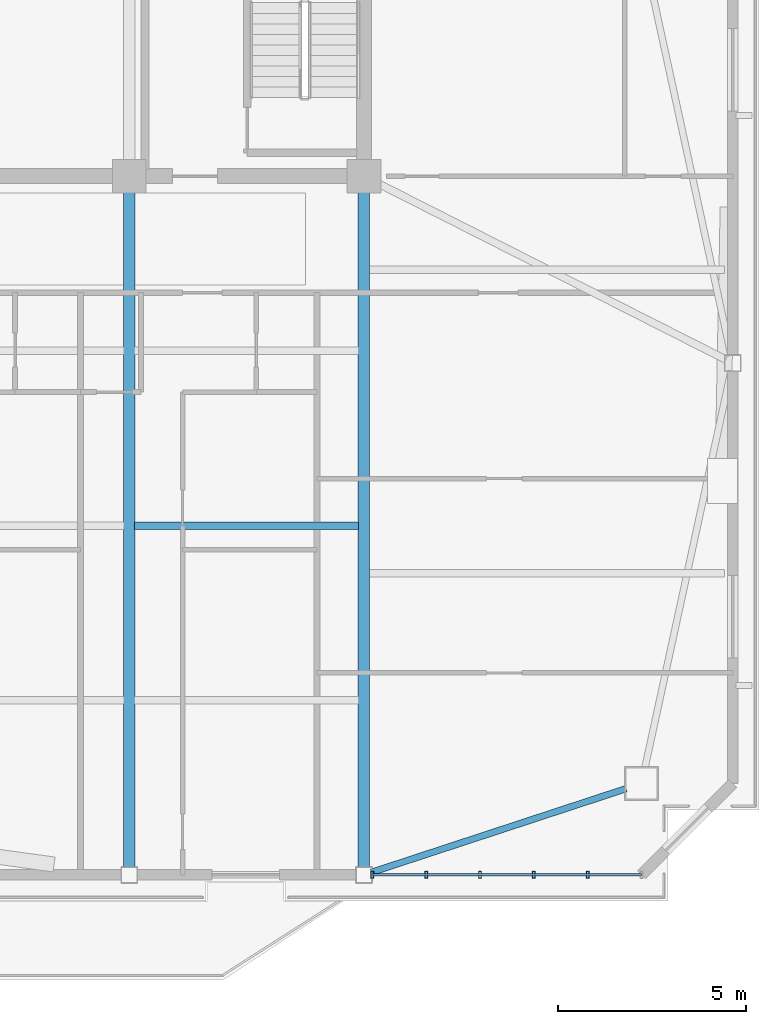
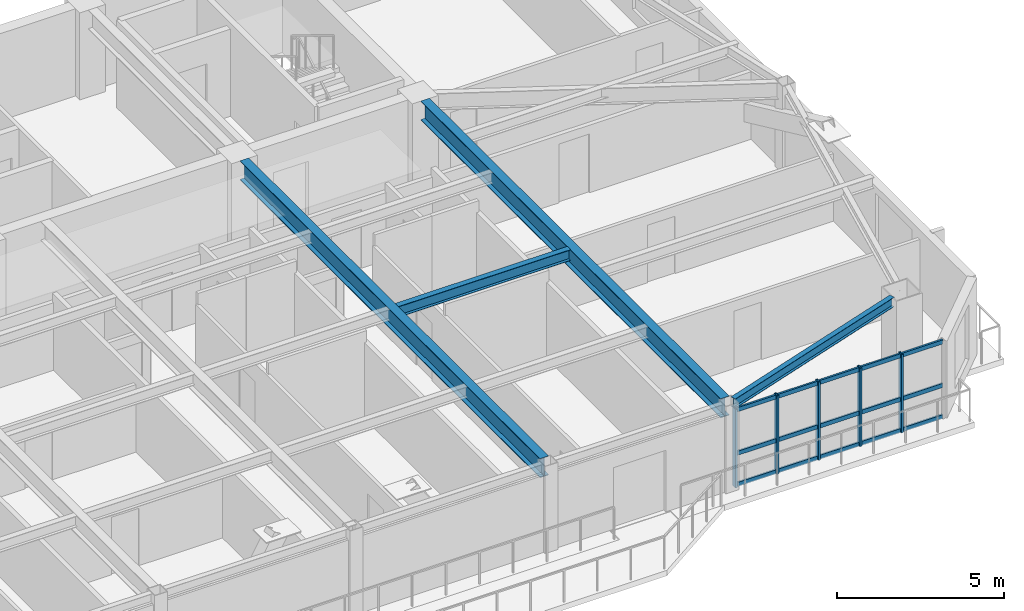
# One storey, part 4 of 15: 8 members, 4 beams, 1 element without a shape of its own.
"""IFC4 building model written with IfcOpenShell, lengths in metres."""

import ifcopenshell
import ifcopenshell.guid

model = None  # the IFC model being written
_history = None  # IfcOwnerHistory: only IFC2X3 demands one
_inside = {}  # id of a spatial element -> (the spatial element, [elements in it])
_under = {}  # id of a project, library or spatial element -> (it, [spatial elements below it])
_declared = {}  # id of a project -> (the project, [libraries it declares])
_typed = {}  # id of a type object -> (the type object, [elements of that type])
_made_of = {}  # id of a material, layer set ... -> (it, [elements and type objects made of it])


def new_model(schema):
    """Start an empty IFC model of exactly this schema.

    Asked for "IFC4X3", IfcOpenShell would pick the latest addendum, in which some entities
    have other attributes; the version numbers below select the first issue.
    IFC2X3 requires an IfcOwnerHistory on every rooted entity: one is made here for all.
    """
    global model, _history
    if schema == "IFC4X3":
        model = ifcopenshell.file(schema_version=(4, 3, 0, 0))
    else:
        model = ifcopenshell.file(schema=schema)
    _inside.clear()
    _under.clear()
    _declared.clear()
    _typed.clear()
    _made_of.clear()
    _history = None
    if model.schema == "IFC2X3":
        org = make("IfcOrganization", Name="unknown")
        user = make(
            "IfcPersonAndOrganization",
            ThePerson=make("IfcPerson", FamilyName="unknown"),
            TheOrganization=org,
        )
        app = make(
            "IfcApplication",
            ApplicationDeveloper=org,
            Version="unknown",
            ApplicationFullName="unknown",
            ApplicationIdentifier="unknown",
        )
        _history = make(
            "IfcOwnerHistory",
            OwningUser=user,
            OwningApplication=app,
            ChangeAction="ADDED",
            CreationDate=0,
        )
    return model


def make(cls, **values):
    """One entity of the class cls with the attributes given. An attribute that is None is left unset."""
    return model.create_entity(
        cls, **{name: value for name, value in values.items() if value is not None}
    )


def rooted(cls, **values):
    """An entity with a GlobalId (a new one), such as an element, a storey or a relation."""
    return make(cls, GlobalId=ifcopenshell.guid.new(), OwnerHistory=_history, **values)


def si_unit(unit_type, name, prefix=None):
    """IfcSIUnit, for example si_unit("LENGTHUNIT", "METRE", prefix="MILLI")."""
    return make("IfcSIUnit", UnitType=unit_type, Prefix=prefix, Name=name)


def assignment(units):
    """IfcUnitAssignment: the units of a project."""
    return None if units is None else make("IfcUnitAssignment", Units=units)


def point(xyz):
    """IfcCartesianPoint."""
    return None if xyz is None else make("IfcCartesianPoint", Coordinates=xyz)


def direction(xyz):
    """IfcDirection."""
    return None if xyz is None else make("IfcDirection", DirectionRatios=xyz)


def frame(location, z_axis=None, x_axis=None):
    """IfcAxis2Placement3D, a coordinate frame: its origin and axes. An axis left out is left unset."""
    return make(
        "IfcAxis2Placement3D",
        Location=point(location),
        Axis=direction(z_axis),
        RefDirection=direction(x_axis),
    )


def frame_2d(location, x_axis=None):
    """IfcAxis2Placement2D, a coordinate frame in the plane: its origin and x axis."""
    return make(
        "IfcAxis2Placement2D", Location=point(location), RefDirection=direction(x_axis)
    )


def origin():
    """The frame at (0, 0, 0) with its axes left unset."""
    return frame((0.0, 0.0, 0.0))


def origin_2d():
    """The frame at (0, 0) in the plane with its x axis left unset."""
    return frame_2d((0.0, 0.0))


def place(relative_to, where):
    """IfcLocalPlacement: puts the frame where relative to a parent placement (None: the world)."""
    return make(
        "IfcLocalPlacement", PlacementRelTo=relative_to, RelativePlacement=where
    )


def context(
    kind, dimensions, precision=None, world=None, true_north=None, identifier=None
):
    """IfcGeometricRepresentationContext, for example the 3D "Model" context."""
    return make(
        "IfcGeometricRepresentationContext",
        ContextIdentifier=identifier,
        ContextType=kind,
        CoordinateSpaceDimension=dimensions,
        Precision=precision,
        WorldCoordinateSystem=world,
        TrueNorth=true_north,
    )


def subcontext(parent, identifier, kind, view, scale=None):
    """IfcGeometricRepresentationSubContext, for example "Body" below "Model"."""
    return make(
        "IfcGeometricRepresentationSubContext",
        ContextIdentifier=identifier,
        ContextType=kind,
        ParentContext=parent,
        TargetScale=scale,
        TargetView=view,
    )


def project(units=None, contexts=None):
    """IfcProject with its units and contexts."""
    return rooted(
        "IfcProject",
        Name="project",
        RepresentationContexts=contexts,
        UnitsInContext=assignment(units),
    )


def spatial(cls, under=None, at=None, **own):
    """A site, building, storey or space (cls), placed at a placement, below another one or the project."""
    s = rooted(cls, ObjectPlacement=at, **own)
    if under is not None:
        _under.setdefault(under.id(), (under, []))[1].append(s)
    return s


def profile(cls, at=None, kind="AREA", **sizes):
    """A parametric profile (cls). Its sizes go by their IFC names, for example OverallWidth=200.0."""
    return make(cls, ProfileType=kind, Position=at, **sizes)


def hollow_rectangle(**sizes):
    """IfcRectangleHollowProfileDef."""
    return profile("IfcRectangleHollowProfileDef", **sizes)


def i_section(**sizes):
    """IfcIShapeProfileDef."""
    return profile("IfcIShapeProfileDef", **sizes)


def extrude(swept, where, along, depth):
    """IfcExtrudedAreaSolid: the profile swept, set in the frame where, extruded along a direction by depth."""
    return make(
        "IfcExtrudedAreaSolid",
        SweptArea=swept,
        Position=where,
        ExtrudedDirection=direction(along),
        Depth=depth,
    )


def shape(context_of_items, identifier, shape_type, items):
    """IfcShapeRepresentation: the items that make up one representation, for example the "Body"."""
    return make(
        "IfcShapeRepresentation",
        ContextOfItems=context_of_items,
        RepresentationIdentifier=identifier,
        RepresentationType=shape_type,
        Items=items,
    )


def source(mapping_origin, context_of_items, identifier, shape_type, items):
    """IfcRepresentationMap: a shape defined once, which mapped items show again and again."""
    return make(
        "IfcRepresentationMap",
        MappingOrigin=mapping_origin,
        MappedRepresentation=shape(context_of_items, identifier, shape_type, items),
    )


def transform(
    local_origin,
    x_axis=None,
    y_axis=None,
    z_axis=None,
    scale=None,
    scale2=None,
    scale3=None,
    uniform=True,
):
    """IfcCartesianTransformationOperator3D, or its non-uniform kind. x_axis, y_axis, z_axis: its Axis1, 2, 3."""
    if uniform:
        return make(
            "IfcCartesianTransformationOperator3D",
            Axis1=direction(x_axis),
            Axis2=direction(y_axis),
            LocalOrigin=point(local_origin),
            Scale=scale,
            Axis3=direction(z_axis),
        )
    return make(
        "IfcCartesianTransformationOperator3DnonUniform",
        Axis1=direction(x_axis),
        Axis2=direction(y_axis),
        LocalOrigin=point(local_origin),
        Scale=scale,
        Axis3=direction(z_axis),
        Scale2=scale2,
        Scale3=scale3,
    )


def mapped(mapping_source, mapping_target):
    """IfcMappedItem: shows the shape of a source again, moved by a transform."""
    return make(
        "IfcMappedItem", MappingSource=mapping_source, MappingTarget=mapping_target
    )


def material(Name=None, Category=None):
    """IfcMaterial."""
    return make("IfcMaterial", Name=Name, Category=Category)


def layer(
    of_material, thickness, ventilated=None, Name=None, Category=None, Priority=None
):
    """IfcMaterialLayer: one layer of a wall or slab, of a material (None: an air gap)."""
    return make(
        "IfcMaterialLayer",
        Material=of_material,
        LayerThickness=thickness,
        IsVentilated=ventilated,
        Name=Name,
        Category=Category,
        Priority=Priority,
    )


def layer_set(layers, Name=None):
    """IfcMaterialLayerSet."""
    return make("IfcMaterialLayerSet", MaterialLayers=layers, LayerSetName=Name)


def material_profile(
    of_material, cross_section, Name=None, Category=None, Priority=None
):
    """IfcMaterialProfile: a cross section and its material."""
    return make(
        "IfcMaterialProfile",
        Name=Name,
        Material=of_material,
        Profile=cross_section,
        Priority=Priority,
        Category=Category,
    )


def profile_set(profiles, Name=None, composite=None):
    """IfcMaterialProfileSet."""
    return make(
        "IfcMaterialProfileSet",
        Name=Name,
        MaterialProfiles=profiles,
        CompositeProfile=composite,
    )


def made_of(thing, what):
    """Note that an element or type object is made of a material, layer set ...; save() writes the relation."""
    if what is not None:
        _made_of.setdefault(what.id(), (what, []))[1].append(thing)
    return thing


def type_object(cls, material=None, **own):
    """A type object (cls), such as IfcWallType, which elements share."""
    return made_of(rooted(cls, **own), material)


def element(
    cls,
    number,
    at=None,
    inside=None,
    cuts=None,
    type_object=None,
    material=None,
    context=None,
    identifier="Body",
    shape_type=None,
    held_by="IfcProductDefinitionShape",
    body=None,
    shapes=None,
    **own,
):
    """One element of the class cls, such as IfcWall. Its Tag is "e" and its number.

    at: its placement. inside: the storey or other place that contains it. cuts: it is an
    opening in that element (IfcRelVoidsElement). A single representation is given by context,
    identifier, shape_type and body (its items); several are given by shapes. held_by: the class
    of the entity that holds the representations. save() writes the other relations.
    """
    e = rooted(cls, Tag="e%d" % number, ObjectPlacement=at, **own)
    if body is not None:
        shapes = [shape(context, identifier, shape_type, body)]
    if shapes is not None:
        e.Representation = make(held_by, Representations=shapes)
    if inside is not None:
        _inside.setdefault(inside.id(), (inside, []))[1].append(e)
    if cuts is not None:
        rooted(
            "IfcRelVoidsElement", RelatingBuildingElement=cuts, RelatedOpeningElement=e
        )
    if type_object is not None:
        _typed.setdefault(type_object.id(), (type_object, []))[1].append(e)
    return made_of(e, material)


def aggregate(whole, parts):
    """IfcRelAggregates: a whole, such as a stair, and the parts it consists of."""
    return rooted("IfcRelAggregates", RelatingObject=whole, RelatedObjects=parts)


def save(model, path):
    """Write the relations noted so far, then the file.

    IfcRelAggregates (storeys below a building ...), IfcRelContainedInSpatialStructure (elements
    in a storey), IfcRelDefinesByType, IfcRelAssociatesMaterial and IfcRelDeclares: one each for
    every whole, place, type object, material and project.
    """
    for whole, parts in _under.values():
        aggregate(whole, parts)
    for where, things in _inside.values():
        rooted(
            "IfcRelContainedInSpatialStructure",
            RelatedElements=things,
            RelatingStructure=where,
        )
    for kind, things in _typed.values():
        rooted("IfcRelDefinesByType", RelatedObjects=things, RelatingType=kind)
    for what, things in _made_of.values():
        rooted("IfcRelAssociatesMaterial", RelatedObjects=things, RelatingMaterial=what)
    for by, libraries in _declared.values():
        rooted("IfcRelDeclares", RelatingContext=by, RelatedDefinitions=libraries)
    model.write(path)


model = new_model("IFC4")

# Units and contexts
model_context = context("Model", 3, precision=1e-05, world=origin(), true_north=direction((0.0, 1.0)))
body_context = subcontext(model_context, "Body", "Model", "MODEL_VIEW")
ifc_project = project(units=[si_unit("LENGTHUNIT", "METRE"), si_unit("AREAUNIT", "SQUARE_METRE"), si_unit("VOLUMEUNIT", "CUBIC_METRE"), si_unit("PLANEANGLEUNIT", "RADIAN"), si_unit("MASSUNIT", "GRAM", prefix="KILO")], contexts=[model_context])

# Site, building, storey
site_placement = place(None, origin())
site = spatial("IfcSite", under=ifc_project, at=site_placement, CompositionType="ELEMENT")
building_placement = place(site_placement, origin())
building = spatial("IfcBuilding", under=site, at=building_placement, Name="Giltprow Tower", CompositionType="ELEMENT")
storey_placement = place(building_placement, frame((0.0, 0.0, 297.199951171875)))
storey = spatial("IfcBuildingStorey", under=building, at=storey_placement, Name="L76", CompositionType="ELEMENT", Elevation=297.199951171875)

# Beams
ifc_material_1 = material(Name="Structural steel Q355B", Category="steel")
ifc_material_profile_1 = material_profile(ifc_material_1, i_section(OverallWidth=0.199951171875, OverallDepth=0.39990234375, WebThickness=0.008056640625, FlangeThickness=0.012939453125, at=origin_2d()), Name="HN 400x200x8x13")
ifc_profile_set_1 = profile_set([ifc_material_profile_1], Name="Structural steel Q355B")
beam_type_1 = type_object("IfcBeamType", Name="BM-JOIST-HN400", PredefinedType="JOIST", material=ifc_profile_set_1)
shared_shape_1 = source(origin(), body_context, "Body", "SweptSolid", [
    extrude(i_section(OverallWidth=0.199951171875, OverallDepth=0.39990234375, WebThickness=0.008056640625, FlangeThickness=0.012939453125, at=origin_2d()), origin(), (0.0, 0.0, 1.0), 5.9599609375),
])
beam_1_placement = place(storey_placement, frame((44.445068359375, 28.14599609375, 2.985107421875), z_axis=(1.0, 0.0, 0.0), x_axis=(0.0, 1.0, 0.0)))
element("IfcBeam", 1, at=beam_1_placement, inside=storey, type_object=beam_type_1, Name="L76 Composite Floor Joist 2-4", PredefinedType="JOIST", context=body_context, shape_type="MappedRepresentation", body=[
    mapped(shared_shape_1, transform((0.0, 0.0, 0.0), x_axis=(1.0, 0.0, 0.0), y_axis=(0.0, 1.0, 0.0), z_axis=(0.0, 0.0, 1.0), scale=1.0)),
])
ifc_material_profile_2 = material_profile(ifc_material_1, i_section(OverallWidth=0.175048828125, OverallDepth=0.35009765625, WebThickness=0.007080078125, FlangeThickness=0.010986328125, at=origin_2d()), Name="HN 350x175x7x11")
ifc_profile_set_2 = profile_set([ifc_material_profile_2], Name="Structural steel Q355B")
beam_type_2 = type_object("IfcBeamType", Name="BM-SPAN-HN350", PredefinedType="SPANDREL", material=ifc_profile_set_2)
shared_shape_2 = source(origin(), body_context, "Body", "SweptSolid", [
    extrude(i_section(OverallWidth=0.175048828125, OverallDepth=0.35009765625, WebThickness=0.007080078125, FlangeThickness=0.010986328125, at=origin_2d()), origin(), (0.0, 0.0, 1.0), 7.139892578125),
])
beam_2_placement = place(storey_placement, frame((50.7490234375, 18.906982421875, 3.010009765625), z_axis=(0.950018565555, 0.312193409766, 0.0), x_axis=(-0.312193409766, 0.950018565555, 0.0)))
element("IfcBeam", 2, at=beam_2_placement, inside=storey, type_object=beam_type_2, Name="L76 Perimeter Spandrel Beam S4-MC_SE", PredefinedType="SPANDREL", context=body_context, shape_type="MappedRepresentation", body=[
    mapped(shared_shape_2, transform((0.0, 0.0, 0.0), x_axis=(1.0, 0.0, 0.0), y_axis=(0.0, 1.0, 0.0), z_axis=(0.0, 0.0, 1.0), scale=1.0)),
])
ifc_material_profile_3 = material_profile(ifc_material_1, i_section(OverallWidth=0.300048828125, OverallDepth=0.699951171875, WebThickness=0.012939453125, FlangeThickness=0.02392578125, at=origin_2d()), Name="HN 700x300x13x24")
ifc_profile_set_3 = profile_set([ifc_material_profile_3], Name="Structural steel Q355B")
beam_type_3 = type_object("IfcBeamType", Name="BM-GIRD-HN700", PredefinedType="BEAM", material=ifc_profile_set_3)
shared_shape_3 = source(origin(), body_context, "Body", "SweptSolid", [
    extrude(i_section(OverallWidth=0.300048828125, OverallDepth=0.699951171875, WebThickness=0.012939453125, FlangeThickness=0.02392578125, at=origin_2d()), origin(), (0.0, 0.0, 1.0), 17.9638671875),
])
for number, where, z_axis, x_axis, name in (
    (3, (44.300048828125, 19.051025390625, 2.8349609375), (0.0, 1.0, 0.0), (-1.0, 0.0, 0.0), "L76 Primary Lease Girder S3"),
    (4, (50.550048828125, 19.051025390625, 2.8349609375), (0.0, 1.0, 0.0), (-1.0, 0.0, 0.0), "L76 Primary Lease Girder S4"),
):
    element("IfcBeam", number, at=place(storey_placement, frame(where, z_axis=z_axis, x_axis=x_axis)), inside=storey, type_object=beam_type_3, Name=name, PredefinedType="BEAM", context=body_context, shape_type="MappedRepresentation", body=[
        mapped(shared_shape_3, transform((0.0, 0.0, 0.0), x_axis=(1.0, 0.0, 0.0), y_axis=(0.0, 1.0, 0.0), z_axis=(0.0, 0.0, 1.0), scale=1.0)),
    ])

# Curtain wall, members
ifc_material_2 = material(Name="Anodized bronze", Category="metal")
ifc_layer = layer(ifc_material_2, 0.179931640625, Name="Anodized bronze")
ifc_layer_set = layer_set([ifc_layer], Name="Anodized bronze")
curtain_wall_type = type_object("IfcCurtainWallType", Name="CW-RES-SKY", PredefinedType="NOTDEFINED", material=ifc_layer_set)
curtain_wall_placement = place(storey_placement, origin())
curtain_wall = element("IfcCurtainWall", 5, at=curtain_wall_placement, inside=storey, type_object=curtain_wall_type, Name="L76 South Recessed Curtain Wall 6", PredefinedType="NOTDEFINED")
ifc_material_profile_4 = material_profile(ifc_material_2, hollow_rectangle(XDim=0.074951171875, YDim=0.179931640625, WallThickness=0.008056640625, at=origin_2d()), Name="RHS 180x75x8")
ifc_profile_set_4 = profile_set([ifc_material_profile_4], Name="Anodized bronze")
member_type_1 = type_object("IfcMemberType", Name="CW-MULLION-180x75", PredefinedType="MULLION", material=ifc_profile_set_4)
shared_shape_4 = source(origin(), body_context, "Body", "SweptSolid", [
    extrude(hollow_rectangle(XDim=0.074951171875, YDim=0.179931640625, WallThickness=0.008056640625, at=origin_2d()), origin(), (0.0, 0.0, 1.0), 2.8701171875),
])
member_1_placement = place(storey_placement, frame((50.77490234375, 18.841064453125, -0.02001953125), z_axis=(0.0, 0.0, 1.0), x_axis=(1.0, 0.0, 0.0)))
member_1 = element("IfcMember", 6, at=member_1_placement, type_object=member_type_1, Name="L76 South Recessed Curtain Wall 6 Mullion 1", PredefinedType="MULLION", context=body_context, shape_type="MappedRepresentation", body=[
    mapped(shared_shape_4, transform((0.0, 0.0, 0.0), x_axis=(1.0, 0.0, 0.0), y_axis=(0.0, 1.0, 0.0), z_axis=(0.0, 0.0, 1.0), scale=1.0)),
])
member_2_placement = place(storey_placement, frame((52.208984375, 18.841064453125, -0.02001953125), z_axis=(0.0, 0.0, 1.0), x_axis=(1.0, 0.0, 0.0)))
member_2 = element("IfcMember", 7, at=member_2_placement, type_object=member_type_1, Name="L76 South Recessed Curtain Wall 6 Mullion 2", PredefinedType="MULLION", context=body_context, shape_type="MappedRepresentation", body=[
    mapped(shared_shape_4, transform((0.0, 0.0, 0.0), x_axis=(1.0, 0.0, 0.0), y_axis=(0.0, 1.0, 0.0), z_axis=(0.0, 0.0, 1.0), scale=1.0)),
])
member_3_placement = place(storey_placement, frame((53.64306640625, 18.841064453125, -0.02001953125), z_axis=(0.0, 0.0, 1.0), x_axis=(1.0, 0.0, 0.0)))
member_3 = element("IfcMember", 8, at=member_3_placement, type_object=member_type_1, Name="L76 South Recessed Curtain Wall 6 Mullion 3", PredefinedType="MULLION", context=body_context, shape_type="MappedRepresentation", body=[
    mapped(shared_shape_4, transform((0.0, 0.0, 0.0), x_axis=(1.0, 0.0, 0.0), y_axis=(0.0, 1.0, 0.0), z_axis=(0.0, 0.0, 1.0), scale=1.0)),
])
member_4_placement = place(storey_placement, frame((55.076904296875, 18.841064453125, -0.02001953125), z_axis=(0.0, 0.0, 1.0), x_axis=(1.0, 0.0, 0.0)))
member_4 = element("IfcMember", 9, at=member_4_placement, type_object=member_type_1, Name="L76 South Recessed Curtain Wall 6 Mullion 4", PredefinedType="MULLION", context=body_context, shape_type="MappedRepresentation", body=[
    mapped(shared_shape_4, transform((0.0, 0.0, 0.0), x_axis=(1.0, 0.0, 0.0), y_axis=(0.0, 1.0, 0.0), z_axis=(0.0, 0.0, 1.0), scale=1.0)),
])
member_5_placement = place(storey_placement, frame((56.510986328125, 18.841064453125, -0.02001953125), z_axis=(0.0, 0.0, 1.0), x_axis=(1.0, 0.0, 0.0)))
member_5 = element("IfcMember", 10, at=member_5_placement, type_object=member_type_1, Name="L76 South Recessed Curtain Wall 6 Mullion 5", PredefinedType="MULLION", context=body_context, shape_type="MappedRepresentation", body=[
    mapped(shared_shape_4, transform((0.0, 0.0, 0.0), x_axis=(1.0, 0.0, 0.0), y_axis=(0.0, 1.0, 0.0), z_axis=(0.0, 0.0, 1.0), scale=1.0)),
])
ifc_material_profile_5 = material_profile(ifc_material_2, hollow_rectangle(XDim=0.06494140625, YDim=0.14990234375, WallThickness=0.006103515625, at=origin_2d()), Name="RHS 150x65x6")
ifc_profile_set_5 = profile_set([ifc_material_profile_5], Name="Anodized bronze")
member_type_2 = type_object("IfcMemberType", Name="CW-TRANSOM-150x65", PredefinedType="USERDEFINED", material=ifc_profile_set_5)
shared_shape_5 = source(origin(), body_context, "Body", "SweptSolid", [
    extrude(hollow_rectangle(XDim=0.06494140625, YDim=0.14990234375, WallThickness=0.006103515625, at=origin_2d()), origin(), (0.0, 0.0, 1.0), 7.170166015625),
])
member_6_placement = place(storey_placement, frame((50.77490234375, 18.841064453125, 0.0400390625), z_axis=(1.0, 0.0, 0.0), x_axis=(0.0, 1.0, 0.0)))
member_6 = element("IfcMember", 11, at=member_6_placement, type_object=member_type_2, Name="L76 South Recessed Curtain Wall 6 Transom 1", ObjectType="TRANSOM", PredefinedType="USERDEFINED", context=body_context, shape_type="MappedRepresentation", body=[
    mapped(shared_shape_5, transform((0.0, 0.0, 0.0), x_axis=(1.0, 0.0, 0.0), y_axis=(0.0, 1.0, 0.0), z_axis=(0.0, 0.0, 1.0), scale=1.0)),
])
member_7_placement = place(storey_placement, frame((50.77490234375, 18.841064453125, 1.18212890625), z_axis=(1.0, 0.0, 0.0), x_axis=(0.0, 1.0, 0.0)))
member_7 = element("IfcMember", 12, at=member_7_placement, type_object=member_type_2, Name="L76 South Recessed Curtain Wall 6 Transom 2", ObjectType="TRANSOM", PredefinedType="USERDEFINED", context=body_context, shape_type="MappedRepresentation", body=[
    mapped(shared_shape_5, transform((0.0, 0.0, 0.0), x_axis=(1.0, 0.0, 0.0), y_axis=(0.0, 1.0, 0.0), z_axis=(0.0, 0.0, 1.0), scale=1.0)),
])
member_8_placement = place(storey_placement, frame((50.77490234375, 18.841064453125, 2.775146484375), z_axis=(1.0, 0.0, 0.0), x_axis=(0.0, 1.0, 0.0)))
member_8 = element("IfcMember", 13, at=member_8_placement, type_object=member_type_2, Name="L76 South Recessed Curtain Wall 6 Transom 3", ObjectType="TRANSOM", PredefinedType="USERDEFINED", context=body_context, shape_type="MappedRepresentation", body=[
    mapped(shared_shape_5, transform((0.0, 0.0, 0.0), x_axis=(1.0, 0.0, 0.0), y_axis=(0.0, 1.0, 0.0), z_axis=(0.0, 0.0, 1.0), scale=1.0)),
])
aggregate(curtain_wall, [member_1, member_2, member_3, member_4, member_5, member_6, member_7, member_8])

save(model, "model.ifc")
